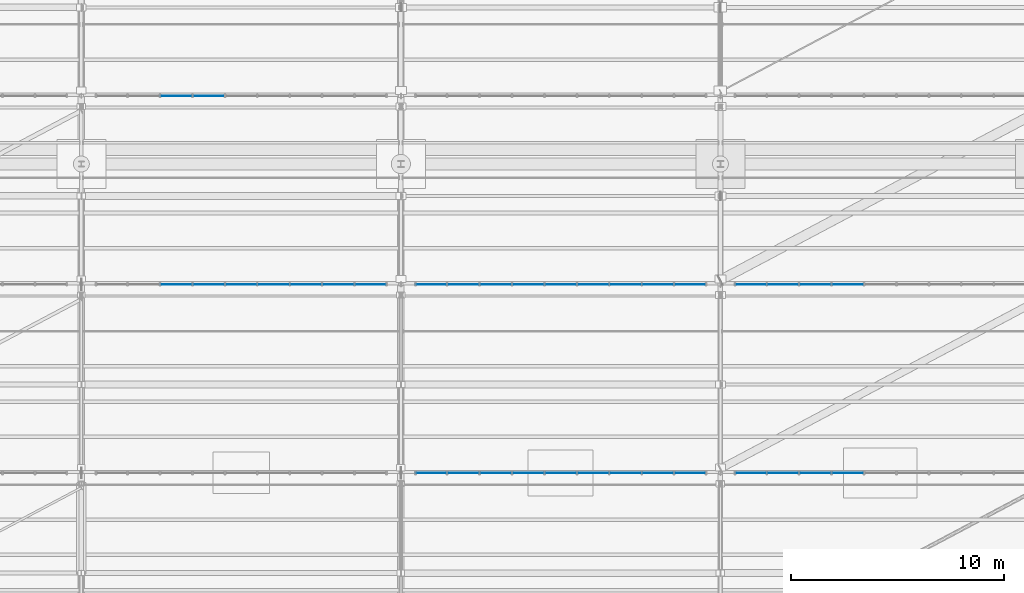
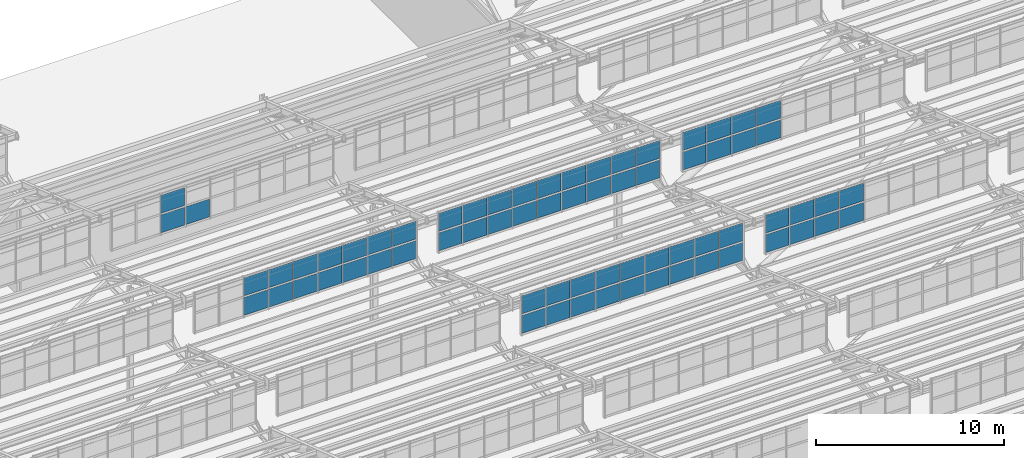
# One storey, part 177 of 285: 69 plates, 6 elements without a shape of their own.
"""IFC4 building model written with IfcOpenShell, lengths in metres."""

from ifc_helpers import new_model, si_unit, direction, frame, origin, origin_2d, place, context, subcontext, project, spatial, rectangle, extrude, material, layer, layer_set, type_object, element, aggregate, save


model = new_model("IFC4")

# Units and contexts
model_context = context("Model", 3, precision=1e-05, world=origin(), true_north=direction((0.0, 1.0)))
body_context = subcontext(model_context, "Body", "Model", "MODEL_VIEW")
ifc_project = project(units=[si_unit("LENGTHUNIT", "METRE"), si_unit("AREAUNIT", "SQUARE_METRE"), si_unit("VOLUMEUNIT", "CUBIC_METRE"), si_unit("PLANEANGLEUNIT", "RADIAN"), si_unit("MASSUNIT", "GRAM", prefix="KILO")], contexts=[model_context])

# Site, building, storey
site_placement = place(None, origin())
site = spatial("IfcSite", under=ifc_project, at=site_placement, CompositionType="ELEMENT")
building_placement = place(site_placement, origin())
building = spatial("IfcBuilding", under=site, at=building_placement, Name="Solanera Park Tramway Depot", CompositionType="ELEMENT")
storey_placement = place(building_placement, origin())
storey = spatial("IfcBuildingStorey", under=building, at=storey_placement, Name="L00", CompositionType="ELEMENT", Elevation=0.0)

# Curtain wall, plates
ifc_material_1 = material(Name="Bronze-anodised thermally broken aluminium curtain wall", Category="aluminium")
curtain_wall_type = type_object("IfcCurtainWallType", Name="Sawtooth Clerestory Monitor Curtain Wall", PredefinedType="NOTDEFINED", material=ifc_material_1)
curtain_wall_1_placement = place(storey_placement, origin())
curtain_wall_1 = element("IfcCurtainWall", 1, at=curtain_wall_1_placement, inside=storey, type_object=curtain_wall_type, Name="L00 Sawtooth Clerestory Monitor Curtain Wall #040", PredefinedType="NOTDEFINED")
ifc_material_2 = material(Name="Low-E laminated solar-control double glazing", Category="glass")
ifc_layer = layer(ifc_material_2, 0.028076171875)
ifc_layer_set = layer_set([ifc_layer], Name="Low-E laminated solar-control double glazing")
plate_type = type_object("IfcPlateType", Name="Curtain Wall Double Glazing Panel 28", PredefinedType="CURTAIN_PANEL", material=ifc_layer_set)
plate_1_placement = place(storey_placement, frame((76.427490234375, 100.0, 7.862060546875), z_axis=(0.0, 0.0, 1.0), x_axis=(1.0, 0.0, 0.0)))
plate_1 = element("IfcPlate", 2, at=plate_1_placement, type_object=plate_type, Name="CW-L00-040 Glazing Panel R1.C1", PredefinedType="CURTAIN_PANEL", context=body_context, shape_type="SweptSolid", body=[
    extrude(rectangle(XDim=1.437744140625, YDim=0.028076171875, at=origin_2d()), origin(), (0.0, 0.0, 1.0), 1.16650390625),
])
plate_2_placement = place(storey_placement, frame((77.933349609375, 100.0, 7.862060546875), z_axis=(0.0, 0.0, 1.0), x_axis=(1.0, 0.0, 0.0)))
plate_2 = element("IfcPlate", 3, at=plate_2_placement, type_object=plate_type, Name="CW-L00-040 Glazing Panel R1.C2", PredefinedType="CURTAIN_PANEL", context=body_context, shape_type="SweptSolid", body=[
    extrude(rectangle(XDim=1.47021484375, YDim=0.028076171875, at=origin_2d()), origin(), (0.0, 0.0, 1.0), 1.16650390625),
])
plate_3_placement = place(storey_placement, frame((79.45556640625, 100.0, 7.862060546875), z_axis=(0.0, 0.0, 1.0), x_axis=(1.0, 0.0, 0.0)))
plate_3 = element("IfcPlate", 4, at=plate_3_placement, type_object=plate_type, Name="CW-L00-040 Glazing Panel R1.C3", PredefinedType="CURTAIN_PANEL", context=body_context, shape_type="SweptSolid", body=[
    extrude(rectangle(XDim=1.47021484375, YDim=0.028076171875, at=origin_2d()), origin(), (0.0, 0.0, 1.0), 1.16650390625),
])
plate_4_placement = place(storey_placement, frame((80.977783203125, 100.0, 7.862060546875), z_axis=(0.0, 0.0, 1.0), x_axis=(1.0, 0.0, 0.0)))
plate_4 = element("IfcPlate", 5, at=plate_4_placement, type_object=plate_type, Name="CW-L00-040 Glazing Panel R1.C4", PredefinedType="CURTAIN_PANEL", context=body_context, shape_type="SweptSolid", body=[
    extrude(rectangle(XDim=1.47021484375, YDim=0.028076171875, at=origin_2d()), origin(), (0.0, 0.0, 1.0), 1.16650390625),
])
plate_5_placement = place(storey_placement, frame((82.5, 100.0, 7.862060546875), z_axis=(0.0, 0.0, 1.0), x_axis=(1.0, 0.0, 0.0)))
plate_5 = element("IfcPlate", 6, at=plate_5_placement, type_object=plate_type, Name="CW-L00-040 Glazing Panel R1.C5", PredefinedType="CURTAIN_PANEL", context=body_context, shape_type="SweptSolid", body=[
    extrude(rectangle(XDim=1.47021484375, YDim=0.028076171875, at=origin_2d()), origin(), (0.0, 0.0, 1.0), 1.16650390625),
])
plate_6_placement = place(storey_placement, frame((84.022216796875, 100.0, 7.862060546875), z_axis=(0.0, 0.0, 1.0), x_axis=(1.0, 0.0, 0.0)))
plate_6 = element("IfcPlate", 7, at=plate_6_placement, type_object=plate_type, Name="CW-L00-040 Glazing Panel R1.C6", PredefinedType="CURTAIN_PANEL", context=body_context, shape_type="SweptSolid", body=[
    extrude(rectangle(XDim=1.47021484375, YDim=0.028076171875, at=origin_2d()), origin(), (0.0, 0.0, 1.0), 1.16650390625),
])
plate_7_placement = place(storey_placement, frame((85.54443359375, 100.0, 7.862060546875), z_axis=(0.0, 0.0, 1.0), x_axis=(1.0, 0.0, 0.0)))
plate_7 = element("IfcPlate", 8, at=plate_7_placement, type_object=plate_type, Name="CW-L00-040 Glazing Panel R1.C7", PredefinedType="CURTAIN_PANEL", context=body_context, shape_type="SweptSolid", body=[
    extrude(rectangle(XDim=1.47021484375, YDim=0.028076171875, at=origin_2d()), origin(), (0.0, 0.0, 1.0), 1.16650390625),
])
plate_8_placement = place(storey_placement, frame((87.066650390625, 100.0, 7.862060546875), z_axis=(0.0, 0.0, 1.0), x_axis=(1.0, 0.0, 0.0)))
plate_8 = element("IfcPlate", 9, at=plate_8_placement, type_object=plate_type, Name="CW-L00-040 Glazing Panel R1.C8", PredefinedType="CURTAIN_PANEL", context=body_context, shape_type="SweptSolid", body=[
    extrude(rectangle(XDim=1.47021484375, YDim=0.028076171875, at=origin_2d()), origin(), (0.0, 0.0, 1.0), 1.16650390625),
])
plate_9_placement = place(storey_placement, frame((88.572509765625, 100.0, 7.862060546875), z_axis=(0.0, 0.0, 1.0), x_axis=(1.0, 0.0, 0.0)))
plate_9 = element("IfcPlate", 10, at=plate_9_placement, type_object=plate_type, Name="CW-L00-040 Glazing Panel R1.C9", PredefinedType="CURTAIN_PANEL", context=body_context, shape_type="SweptSolid", body=[
    extrude(rectangle(XDim=1.437744140625, YDim=0.028076171875, at=origin_2d()), origin(), (0.0, 0.0, 1.0), 1.16650390625),
])
plate_10_placement = place(storey_placement, frame((76.427490234375, 100.0, 9.132568359375), z_axis=(0.0, 0.0, 1.0), x_axis=(1.0, 0.0, 0.0)))
plate_10 = element("IfcPlate", 11, at=plate_10_placement, type_object=plate_type, Name="CW-L00-040 Glazing Panel R2.C1", PredefinedType="CURTAIN_PANEL", context=body_context, shape_type="SweptSolid", body=[
    extrude(rectangle(XDim=1.437744140625, YDim=0.028076171875, at=origin_2d()), origin(), (0.0, 0.0, 1.0), 1.16650390625),
])
plate_11_placement = place(storey_placement, frame((77.933349609375, 100.0, 9.132568359375), z_axis=(0.0, 0.0, 1.0), x_axis=(1.0, 0.0, 0.0)))
plate_11 = element("IfcPlate", 12, at=plate_11_placement, type_object=plate_type, Name="CW-L00-040 Glazing Panel R2.C2", PredefinedType="CURTAIN_PANEL", context=body_context, shape_type="SweptSolid", body=[
    extrude(rectangle(XDim=1.47021484375, YDim=0.028076171875, at=origin_2d()), origin(), (0.0, 0.0, 1.0), 1.16650390625),
])
plate_12_placement = place(storey_placement, frame((79.45556640625, 100.0, 9.132568359375), z_axis=(0.0, 0.0, 1.0), x_axis=(1.0, 0.0, 0.0)))
plate_12 = element("IfcPlate", 13, at=plate_12_placement, type_object=plate_type, Name="CW-L00-040 Glazing Panel R2.C3", PredefinedType="CURTAIN_PANEL", context=body_context, shape_type="SweptSolid", body=[
    extrude(rectangle(XDim=1.47021484375, YDim=0.028076171875, at=origin_2d()), origin(), (0.0, 0.0, 1.0), 1.16650390625),
])
plate_13_placement = place(storey_placement, frame((80.977783203125, 100.0, 9.132568359375), z_axis=(0.0, 0.0, 1.0), x_axis=(1.0, 0.0, 0.0)))
plate_13 = element("IfcPlate", 14, at=plate_13_placement, type_object=plate_type, Name="CW-L00-040 Glazing Panel R2.C4", PredefinedType="CURTAIN_PANEL", context=body_context, shape_type="SweptSolid", body=[
    extrude(rectangle(XDim=1.47021484375, YDim=0.028076171875, at=origin_2d()), origin(), (0.0, 0.0, 1.0), 1.16650390625),
])
plate_14_placement = place(storey_placement, frame((82.5, 100.0, 9.132568359375), z_axis=(0.0, 0.0, 1.0), x_axis=(1.0, 0.0, 0.0)))
plate_14 = element("IfcPlate", 15, at=plate_14_placement, type_object=plate_type, Name="CW-L00-040 Glazing Panel R2.C5", PredefinedType="CURTAIN_PANEL", context=body_context, shape_type="SweptSolid", body=[
    extrude(rectangle(XDim=1.47021484375, YDim=0.028076171875, at=origin_2d()), origin(), (0.0, 0.0, 1.0), 1.16650390625),
])
plate_15_placement = place(storey_placement, frame((84.022216796875, 100.0, 9.132568359375), z_axis=(0.0, 0.0, 1.0), x_axis=(1.0, 0.0, 0.0)))
plate_15 = element("IfcPlate", 16, at=plate_15_placement, type_object=plate_type, Name="CW-L00-040 Glazing Panel R2.C6", PredefinedType="CURTAIN_PANEL", context=body_context, shape_type="SweptSolid", body=[
    extrude(rectangle(XDim=1.47021484375, YDim=0.028076171875, at=origin_2d()), origin(), (0.0, 0.0, 1.0), 1.16650390625),
])
plate_16_placement = place(storey_placement, frame((85.54443359375, 100.0, 9.132568359375), z_axis=(0.0, 0.0, 1.0), x_axis=(1.0, 0.0, 0.0)))
plate_16 = element("IfcPlate", 17, at=plate_16_placement, type_object=plate_type, Name="CW-L00-040 Glazing Panel R2.C7", PredefinedType="CURTAIN_PANEL", context=body_context, shape_type="SweptSolid", body=[
    extrude(rectangle(XDim=1.47021484375, YDim=0.028076171875, at=origin_2d()), origin(), (0.0, 0.0, 1.0), 1.16650390625),
])
plate_17_placement = place(storey_placement, frame((87.066650390625, 100.0, 9.132568359375), z_axis=(0.0, 0.0, 1.0), x_axis=(1.0, 0.0, 0.0)))
plate_17 = element("IfcPlate", 18, at=plate_17_placement, type_object=plate_type, Name="CW-L00-040 Glazing Panel R2.C8", PredefinedType="CURTAIN_PANEL", context=body_context, shape_type="SweptSolid", body=[
    extrude(rectangle(XDim=1.47021484375, YDim=0.028076171875, at=origin_2d()), origin(), (0.0, 0.0, 1.0), 1.16650390625),
])
plate_18_placement = place(storey_placement, frame((88.572509765625, 100.0, 9.132568359375), z_axis=(0.0, 0.0, 1.0), x_axis=(1.0, 0.0, 0.0)))
plate_18 = element("IfcPlate", 19, at=plate_18_placement, type_object=plate_type, Name="CW-L00-040 Glazing Panel R2.C9", PredefinedType="CURTAIN_PANEL", context=body_context, shape_type="SweptSolid", body=[
    extrude(rectangle(XDim=1.437744140625, YDim=0.028076171875, at=origin_2d()), origin(), (0.0, 0.0, 1.0), 1.16650390625),
])
aggregate(curtain_wall_1, [plate_1, plate_2, plate_3, plate_4, plate_5, plate_6, plate_7, plate_8, plate_9, plate_10, plate_11, plate_12, plate_13, plate_14, plate_15, plate_16, plate_17, plate_18])

curtain_wall_2_placement = place(storey_placement, origin())
curtain_wall_2 = element("IfcCurtainWall", 20, at=curtain_wall_2_placement, inside=storey, type_object=curtain_wall_type, Name="L00 Sawtooth Clerestory Monitor Curtain Wall #041", PredefinedType="NOTDEFINED")
plate_19_placement = place(storey_placement, frame((91.427490234375, 100.0, 7.862060546875), z_axis=(0.0, 0.0, 1.0), x_axis=(1.0, 0.0, 0.0)))
plate_19 = element("IfcPlate", 21, at=plate_19_placement, type_object=plate_type, Name="CW-L00-041 Glazing Panel R1.C1", PredefinedType="CURTAIN_PANEL", context=body_context, shape_type="SweptSolid", body=[
    extrude(rectangle(XDim=1.437744140625, YDim=0.028076171875, at=origin_2d()), origin(), (0.0, 0.0, 1.0), 1.16650390625),
])
plate_20_placement = place(storey_placement, frame((92.933349609375, 100.0, 7.862060546875), z_axis=(0.0, 0.0, 1.0), x_axis=(1.0, 0.0, 0.0)))
plate_20 = element("IfcPlate", 22, at=plate_20_placement, type_object=plate_type, Name="CW-L00-041 Glazing Panel R1.C2", PredefinedType="CURTAIN_PANEL", context=body_context, shape_type="SweptSolid", body=[
    extrude(rectangle(XDim=1.47021484375, YDim=0.028076171875, at=origin_2d()), origin(), (0.0, 0.0, 1.0), 1.16650390625),
])
plate_21_placement = place(storey_placement, frame((94.45556640625, 100.0, 7.862060546875), z_axis=(0.0, 0.0, 1.0), x_axis=(1.0, 0.0, 0.0)))
plate_21 = element("IfcPlate", 23, at=plate_21_placement, type_object=plate_type, Name="CW-L00-041 Glazing Panel R1.C3", PredefinedType="CURTAIN_PANEL", context=body_context, shape_type="SweptSolid", body=[
    extrude(rectangle(XDim=1.47021484375, YDim=0.028076171875, at=origin_2d()), origin(), (0.0, 0.0, 1.0), 1.16650390625),
])
plate_22_placement = place(storey_placement, frame((95.977783203125, 100.0, 7.862060546875), z_axis=(0.0, 0.0, 1.0), x_axis=(1.0, 0.0, 0.0)))
plate_22 = element("IfcPlate", 24, at=plate_22_placement, type_object=plate_type, Name="CW-L00-041 Glazing Panel R1.C4", PredefinedType="CURTAIN_PANEL", context=body_context, shape_type="SweptSolid", body=[
    extrude(rectangle(XDim=1.47021484375, YDim=0.028076171875, at=origin_2d()), origin(), (0.0, 0.0, 1.0), 1.16650390625),
])
plate_23_placement = place(storey_placement, frame((91.427490234375, 100.0, 9.132568359375), z_axis=(0.0, 0.0, 1.0), x_axis=(1.0, 0.0, 0.0)))
plate_23 = element("IfcPlate", 25, at=plate_23_placement, type_object=plate_type, Name="CW-L00-041 Glazing Panel R2.C1", PredefinedType="CURTAIN_PANEL", context=body_context, shape_type="SweptSolid", body=[
    extrude(rectangle(XDim=1.437744140625, YDim=0.028076171875, at=origin_2d()), origin(), (0.0, 0.0, 1.0), 1.16650390625),
])
plate_24_placement = place(storey_placement, frame((92.933349609375, 100.0, 9.132568359375), z_axis=(0.0, 0.0, 1.0), x_axis=(1.0, 0.0, 0.0)))
plate_24 = element("IfcPlate", 26, at=plate_24_placement, type_object=plate_type, Name="CW-L00-041 Glazing Panel R2.C2", PredefinedType="CURTAIN_PANEL", context=body_context, shape_type="SweptSolid", body=[
    extrude(rectangle(XDim=1.47021484375, YDim=0.028076171875, at=origin_2d()), origin(), (0.0, 0.0, 1.0), 1.16650390625),
])
plate_25_placement = place(storey_placement, frame((94.45556640625, 100.0, 9.132568359375), z_axis=(0.0, 0.0, 1.0), x_axis=(1.0, 0.0, 0.0)))
plate_25 = element("IfcPlate", 27, at=plate_25_placement, type_object=plate_type, Name="CW-L00-041 Glazing Panel R2.C3", PredefinedType="CURTAIN_PANEL", context=body_context, shape_type="SweptSolid", body=[
    extrude(rectangle(XDim=1.47021484375, YDim=0.028076171875, at=origin_2d()), origin(), (0.0, 0.0, 1.0), 1.16650390625),
])
plate_26_placement = place(storey_placement, frame((95.977783203125, 100.0, 9.132568359375), z_axis=(0.0, 0.0, 1.0), x_axis=(1.0, 0.0, 0.0)))
plate_26 = element("IfcPlate", 28, at=plate_26_placement, type_object=plate_type, Name="CW-L00-041 Glazing Panel R2.C4", PredefinedType="CURTAIN_PANEL", context=body_context, shape_type="SweptSolid", body=[
    extrude(rectangle(XDim=1.47021484375, YDim=0.028076171875, at=origin_2d()), origin(), (0.0, 0.0, 1.0), 1.16650390625),
])
aggregate(curtain_wall_2, [plate_19, plate_20, plate_21, plate_22, plate_23, plate_24, plate_25, plate_26])

curtain_wall_3_placement = place(storey_placement, origin())
curtain_wall_3 = element("IfcCurtainWall", 29, at=curtain_wall_3_placement, inside=storey, type_object=curtain_wall_type, Name="L00 Sawtooth Clerestory Monitor Curtain Wall #047", PredefinedType="NOTDEFINED")
plate_27_placement = place(storey_placement, frame((64.45556640625, 108.85009765625, 7.862060546875), z_axis=(0.0, 0.0, 1.0), x_axis=(1.0, 0.0, 0.0)))
plate_27 = element("IfcPlate", 30, at=plate_27_placement, type_object=plate_type, Name="CW-L00-047 Glazing Panel R1.C3", PredefinedType="CURTAIN_PANEL", context=body_context, shape_type="SweptSolid", body=[
    extrude(rectangle(XDim=1.47021484375, YDim=0.028076171875, at=origin_2d()), origin(), (0.0, 0.0, 1.0), 1.16650390625),
])
plate_28_placement = place(storey_placement, frame((65.977783203125, 108.85009765625, 7.862060546875), z_axis=(0.0, 0.0, 1.0), x_axis=(1.0, 0.0, 0.0)))
plate_28 = element("IfcPlate", 31, at=plate_28_placement, type_object=plate_type, Name="CW-L00-047 Glazing Panel R1.C4", PredefinedType="CURTAIN_PANEL", context=body_context, shape_type="SweptSolid", body=[
    extrude(rectangle(XDim=1.47021484375, YDim=0.028076171875, at=origin_2d()), origin(), (0.0, 0.0, 1.0), 1.16650390625),
])
plate_29_placement = place(storey_placement, frame((67.5, 108.85009765625, 7.862060546875), z_axis=(0.0, 0.0, 1.0), x_axis=(1.0, 0.0, 0.0)))
plate_29 = element("IfcPlate", 32, at=plate_29_placement, type_object=plate_type, Name="CW-L00-047 Glazing Panel R1.C5", PredefinedType="CURTAIN_PANEL", context=body_context, shape_type="SweptSolid", body=[
    extrude(rectangle(XDim=1.47021484375, YDim=0.028076171875, at=origin_2d()), origin(), (0.0, 0.0, 1.0), 1.16650390625),
])
plate_30_placement = place(storey_placement, frame((69.022216796875, 108.85009765625, 7.862060546875), z_axis=(0.0, 0.0, 1.0), x_axis=(1.0, 0.0, 0.0)))
plate_30 = element("IfcPlate", 33, at=plate_30_placement, type_object=plate_type, Name="CW-L00-047 Glazing Panel R1.C6", PredefinedType="CURTAIN_PANEL", context=body_context, shape_type="SweptSolid", body=[
    extrude(rectangle(XDim=1.47021484375, YDim=0.028076171875, at=origin_2d()), origin(), (0.0, 0.0, 1.0), 1.16650390625),
])
plate_31_placement = place(storey_placement, frame((70.54443359375, 108.85009765625, 7.862060546875), z_axis=(0.0, 0.0, 1.0), x_axis=(1.0, 0.0, 0.0)))
plate_31 = element("IfcPlate", 34, at=plate_31_placement, type_object=plate_type, Name="CW-L00-047 Glazing Panel R1.C7", PredefinedType="CURTAIN_PANEL", context=body_context, shape_type="SweptSolid", body=[
    extrude(rectangle(XDim=1.47021484375, YDim=0.028076171875, at=origin_2d()), origin(), (0.0, 0.0, 1.0), 1.16650390625),
])
plate_32_placement = place(storey_placement, frame((72.066650390625, 108.85009765625, 7.862060546875), z_axis=(0.0, 0.0, 1.0), x_axis=(1.0, 0.0, 0.0)))
plate_32 = element("IfcPlate", 35, at=plate_32_placement, type_object=plate_type, Name="CW-L00-047 Glazing Panel R1.C8", PredefinedType="CURTAIN_PANEL", context=body_context, shape_type="SweptSolid", body=[
    extrude(rectangle(XDim=1.47021484375, YDim=0.028076171875, at=origin_2d()), origin(), (0.0, 0.0, 1.0), 1.16650390625),
])
plate_33_placement = place(storey_placement, frame((73.572509765625, 108.85009765625, 7.862060546875), z_axis=(0.0, 0.0, 1.0), x_axis=(1.0, 0.0, 0.0)))
plate_33 = element("IfcPlate", 36, at=plate_33_placement, type_object=plate_type, Name="CW-L00-047 Glazing Panel R1.C9", PredefinedType="CURTAIN_PANEL", context=body_context, shape_type="SweptSolid", body=[
    extrude(rectangle(XDim=1.437744140625, YDim=0.028076171875, at=origin_2d()), origin(), (0.0, 0.0, 1.0), 1.16650390625),
])
plate_34_placement = place(storey_placement, frame((64.45556640625, 108.85009765625, 9.132568359375), z_axis=(0.0, 0.0, 1.0), x_axis=(1.0, 0.0, 0.0)))
plate_34 = element("IfcPlate", 37, at=plate_34_placement, type_object=plate_type, Name="CW-L00-047 Glazing Panel R2.C3", PredefinedType="CURTAIN_PANEL", context=body_context, shape_type="SweptSolid", body=[
    extrude(rectangle(XDim=1.47021484375, YDim=0.028076171875, at=origin_2d()), origin(), (0.0, 0.0, 1.0), 1.16650390625),
])
plate_35_placement = place(storey_placement, frame((65.977783203125, 108.85009765625, 9.132568359375), z_axis=(0.0, 0.0, 1.0), x_axis=(1.0, 0.0, 0.0)))
plate_35 = element("IfcPlate", 38, at=plate_35_placement, type_object=plate_type, Name="CW-L00-047 Glazing Panel R2.C4", PredefinedType="CURTAIN_PANEL", context=body_context, shape_type="SweptSolid", body=[
    extrude(rectangle(XDim=1.47021484375, YDim=0.028076171875, at=origin_2d()), origin(), (0.0, 0.0, 1.0), 1.16650390625),
])
plate_36_placement = place(storey_placement, frame((67.5, 108.85009765625, 9.132568359375), z_axis=(0.0, 0.0, 1.0), x_axis=(1.0, 0.0, 0.0)))
plate_36 = element("IfcPlate", 39, at=plate_36_placement, type_object=plate_type, Name="CW-L00-047 Glazing Panel R2.C5", PredefinedType="CURTAIN_PANEL", context=body_context, shape_type="SweptSolid", body=[
    extrude(rectangle(XDim=1.47021484375, YDim=0.028076171875, at=origin_2d()), origin(), (0.0, 0.0, 1.0), 1.16650390625),
])
plate_37_placement = place(storey_placement, frame((69.022216796875, 108.85009765625, 9.132568359375), z_axis=(0.0, 0.0, 1.0), x_axis=(1.0, 0.0, 0.0)))
plate_37 = element("IfcPlate", 40, at=plate_37_placement, type_object=plate_type, Name="CW-L00-047 Glazing Panel R2.C6", PredefinedType="CURTAIN_PANEL", context=body_context, shape_type="SweptSolid", body=[
    extrude(rectangle(XDim=1.47021484375, YDim=0.028076171875, at=origin_2d()), origin(), (0.0, 0.0, 1.0), 1.16650390625),
])
plate_38_placement = place(storey_placement, frame((70.54443359375, 108.85009765625, 9.132568359375), z_axis=(0.0, 0.0, 1.0), x_axis=(1.0, 0.0, 0.0)))
plate_38 = element("IfcPlate", 41, at=plate_38_placement, type_object=plate_type, Name="CW-L00-047 Glazing Panel R2.C7", PredefinedType="CURTAIN_PANEL", context=body_context, shape_type="SweptSolid", body=[
    extrude(rectangle(XDim=1.47021484375, YDim=0.028076171875, at=origin_2d()), origin(), (0.0, 0.0, 1.0), 1.16650390625),
])
plate_39_placement = place(storey_placement, frame((72.066650390625, 108.85009765625, 9.132568359375), z_axis=(0.0, 0.0, 1.0), x_axis=(1.0, 0.0, 0.0)))
plate_39 = element("IfcPlate", 42, at=plate_39_placement, type_object=plate_type, Name="CW-L00-047 Glazing Panel R2.C8", PredefinedType="CURTAIN_PANEL", context=body_context, shape_type="SweptSolid", body=[
    extrude(rectangle(XDim=1.47021484375, YDim=0.028076171875, at=origin_2d()), origin(), (0.0, 0.0, 1.0), 1.16650390625),
])
plate_40_placement = place(storey_placement, frame((73.572509765625, 108.85009765625, 9.132568359375), z_axis=(0.0, 0.0, 1.0), x_axis=(1.0, 0.0, 0.0)))
plate_40 = element("IfcPlate", 43, at=plate_40_placement, type_object=plate_type, Name="CW-L00-047 Glazing Panel R2.C9", PredefinedType="CURTAIN_PANEL", context=body_context, shape_type="SweptSolid", body=[
    extrude(rectangle(XDim=1.437744140625, YDim=0.028076171875, at=origin_2d()), origin(), (0.0, 0.0, 1.0), 1.16650390625),
])
aggregate(curtain_wall_3, [plate_27, plate_28, plate_29, plate_30, plate_31, plate_32, plate_33, plate_34, plate_35, plate_36, plate_37, plate_38, plate_39, plate_40])

curtain_wall_4_placement = place(storey_placement, origin())
curtain_wall_4 = element("IfcCurtainWall", 44, at=curtain_wall_4_placement, inside=storey, type_object=curtain_wall_type, Name="L00 Sawtooth Clerestory Monitor Curtain Wall #048", PredefinedType="NOTDEFINED")
plate_41_placement = place(storey_placement, frame((76.427490234375, 108.85009765625, 7.862060546875), z_axis=(0.0, 0.0, 1.0), x_axis=(1.0, 0.0, 0.0)))
plate_41 = element("IfcPlate", 45, at=plate_41_placement, type_object=plate_type, Name="CW-L00-048 Glazing Panel R1.C1", PredefinedType="CURTAIN_PANEL", context=body_context, shape_type="SweptSolid", body=[
    extrude(rectangle(XDim=1.437744140625, YDim=0.028076171875, at=origin_2d()), origin(), (0.0, 0.0, 1.0), 1.16650390625),
])
plate_42_placement = place(storey_placement, frame((77.933349609375, 108.85009765625, 7.862060546875), z_axis=(0.0, 0.0, 1.0), x_axis=(1.0, 0.0, 0.0)))
plate_42 = element("IfcPlate", 46, at=plate_42_placement, type_object=plate_type, Name="CW-L00-048 Glazing Panel R1.C2", PredefinedType="CURTAIN_PANEL", context=body_context, shape_type="SweptSolid", body=[
    extrude(rectangle(XDim=1.47021484375, YDim=0.028076171875, at=origin_2d()), origin(), (0.0, 0.0, 1.0), 1.16650390625),
])
plate_43_placement = place(storey_placement, frame((79.45556640625, 108.85009765625, 7.862060546875), z_axis=(0.0, 0.0, 1.0), x_axis=(1.0, 0.0, 0.0)))
plate_43 = element("IfcPlate", 47, at=plate_43_placement, type_object=plate_type, Name="CW-L00-048 Glazing Panel R1.C3", PredefinedType="CURTAIN_PANEL", context=body_context, shape_type="SweptSolid", body=[
    extrude(rectangle(XDim=1.47021484375, YDim=0.028076171875, at=origin_2d()), origin(), (0.0, 0.0, 1.0), 1.16650390625),
])
plate_44_placement = place(storey_placement, frame((80.977783203125, 108.85009765625, 7.862060546875), z_axis=(0.0, 0.0, 1.0), x_axis=(1.0, 0.0, 0.0)))
plate_44 = element("IfcPlate", 48, at=plate_44_placement, type_object=plate_type, Name="CW-L00-048 Glazing Panel R1.C4", PredefinedType="CURTAIN_PANEL", context=body_context, shape_type="SweptSolid", body=[
    extrude(rectangle(XDim=1.47021484375, YDim=0.028076171875, at=origin_2d()), origin(), (0.0, 0.0, 1.0), 1.16650390625),
])
plate_45_placement = place(storey_placement, frame((82.5, 108.85009765625, 7.862060546875), z_axis=(0.0, 0.0, 1.0), x_axis=(1.0, 0.0, 0.0)))
plate_45 = element("IfcPlate", 49, at=plate_45_placement, type_object=plate_type, Name="CW-L00-048 Glazing Panel R1.C5", PredefinedType="CURTAIN_PANEL", context=body_context, shape_type="SweptSolid", body=[
    extrude(rectangle(XDim=1.47021484375, YDim=0.028076171875, at=origin_2d()), origin(), (0.0, 0.0, 1.0), 1.16650390625),
])
plate_46_placement = place(storey_placement, frame((84.022216796875, 108.85009765625, 7.862060546875), z_axis=(0.0, 0.0, 1.0), x_axis=(1.0, 0.0, 0.0)))
plate_46 = element("IfcPlate", 50, at=plate_46_placement, type_object=plate_type, Name="CW-L00-048 Glazing Panel R1.C6", PredefinedType="CURTAIN_PANEL", context=body_context, shape_type="SweptSolid", body=[
    extrude(rectangle(XDim=1.47021484375, YDim=0.028076171875, at=origin_2d()), origin(), (0.0, 0.0, 1.0), 1.16650390625),
])
plate_47_placement = place(storey_placement, frame((85.54443359375, 108.85009765625, 7.862060546875), z_axis=(0.0, 0.0, 1.0), x_axis=(1.0, 0.0, 0.0)))
plate_47 = element("IfcPlate", 51, at=plate_47_placement, type_object=plate_type, Name="CW-L00-048 Glazing Panel R1.C7", PredefinedType="CURTAIN_PANEL", context=body_context, shape_type="SweptSolid", body=[
    extrude(rectangle(XDim=1.47021484375, YDim=0.028076171875, at=origin_2d()), origin(), (0.0, 0.0, 1.0), 1.16650390625),
])
plate_48_placement = place(storey_placement, frame((87.066650390625, 108.85009765625, 7.862060546875), z_axis=(0.0, 0.0, 1.0), x_axis=(1.0, 0.0, 0.0)))
plate_48 = element("IfcPlate", 52, at=plate_48_placement, type_object=plate_type, Name="CW-L00-048 Glazing Panel R1.C8", PredefinedType="CURTAIN_PANEL", context=body_context, shape_type="SweptSolid", body=[
    extrude(rectangle(XDim=1.47021484375, YDim=0.028076171875, at=origin_2d()), origin(), (0.0, 0.0, 1.0), 1.16650390625),
])
plate_49_placement = place(storey_placement, frame((88.572509765625, 108.85009765625, 7.862060546875), z_axis=(0.0, 0.0, 1.0), x_axis=(1.0, 0.0, 0.0)))
plate_49 = element("IfcPlate", 53, at=plate_49_placement, type_object=plate_type, Name="CW-L00-048 Glazing Panel R1.C9", PredefinedType="CURTAIN_PANEL", context=body_context, shape_type="SweptSolid", body=[
    extrude(rectangle(XDim=1.437744140625, YDim=0.028076171875, at=origin_2d()), origin(), (0.0, 0.0, 1.0), 1.16650390625),
])
plate_50_placement = place(storey_placement, frame((76.427490234375, 108.85009765625, 9.132568359375), z_axis=(0.0, 0.0, 1.0), x_axis=(1.0, 0.0, 0.0)))
plate_50 = element("IfcPlate", 54, at=plate_50_placement, type_object=plate_type, Name="CW-L00-048 Glazing Panel R2.C1", PredefinedType="CURTAIN_PANEL", context=body_context, shape_type="SweptSolid", body=[
    extrude(rectangle(XDim=1.437744140625, YDim=0.028076171875, at=origin_2d()), origin(), (0.0, 0.0, 1.0), 1.16650390625),
])
plate_51_placement = place(storey_placement, frame((77.933349609375, 108.85009765625, 9.132568359375), z_axis=(0.0, 0.0, 1.0), x_axis=(1.0, 0.0, 0.0)))
plate_51 = element("IfcPlate", 55, at=plate_51_placement, type_object=plate_type, Name="CW-L00-048 Glazing Panel R2.C2", PredefinedType="CURTAIN_PANEL", context=body_context, shape_type="SweptSolid", body=[
    extrude(rectangle(XDim=1.47021484375, YDim=0.028076171875, at=origin_2d()), origin(), (0.0, 0.0, 1.0), 1.16650390625),
])
plate_52_placement = place(storey_placement, frame((79.45556640625, 108.85009765625, 9.132568359375), z_axis=(0.0, 0.0, 1.0), x_axis=(1.0, 0.0, 0.0)))
plate_52 = element("IfcPlate", 56, at=plate_52_placement, type_object=plate_type, Name="CW-L00-048 Glazing Panel R2.C3", PredefinedType="CURTAIN_PANEL", context=body_context, shape_type="SweptSolid", body=[
    extrude(rectangle(XDim=1.47021484375, YDim=0.028076171875, at=origin_2d()), origin(), (0.0, 0.0, 1.0), 1.16650390625),
])
plate_53_placement = place(storey_placement, frame((80.977783203125, 108.85009765625, 9.132568359375), z_axis=(0.0, 0.0, 1.0), x_axis=(1.0, 0.0, 0.0)))
plate_53 = element("IfcPlate", 57, at=plate_53_placement, type_object=plate_type, Name="CW-L00-048 Glazing Panel R2.C4", PredefinedType="CURTAIN_PANEL", context=body_context, shape_type="SweptSolid", body=[
    extrude(rectangle(XDim=1.47021484375, YDim=0.028076171875, at=origin_2d()), origin(), (0.0, 0.0, 1.0), 1.16650390625),
])
plate_54_placement = place(storey_placement, frame((82.5, 108.85009765625, 9.132568359375), z_axis=(0.0, 0.0, 1.0), x_axis=(1.0, 0.0, 0.0)))
plate_54 = element("IfcPlate", 58, at=plate_54_placement, type_object=plate_type, Name="CW-L00-048 Glazing Panel R2.C5", PredefinedType="CURTAIN_PANEL", context=body_context, shape_type="SweptSolid", body=[
    extrude(rectangle(XDim=1.47021484375, YDim=0.028076171875, at=origin_2d()), origin(), (0.0, 0.0, 1.0), 1.16650390625),
])
plate_55_placement = place(storey_placement, frame((84.022216796875, 108.85009765625, 9.132568359375), z_axis=(0.0, 0.0, 1.0), x_axis=(1.0, 0.0, 0.0)))
plate_55 = element("IfcPlate", 59, at=plate_55_placement, type_object=plate_type, Name="CW-L00-048 Glazing Panel R2.C6", PredefinedType="CURTAIN_PANEL", context=body_context, shape_type="SweptSolid", body=[
    extrude(rectangle(XDim=1.47021484375, YDim=0.028076171875, at=origin_2d()), origin(), (0.0, 0.0, 1.0), 1.16650390625),
])
plate_56_placement = place(storey_placement, frame((85.54443359375, 108.85009765625, 9.132568359375), z_axis=(0.0, 0.0, 1.0), x_axis=(1.0, 0.0, 0.0)))
plate_56 = element("IfcPlate", 60, at=plate_56_placement, type_object=plate_type, Name="CW-L00-048 Glazing Panel R2.C7", PredefinedType="CURTAIN_PANEL", context=body_context, shape_type="SweptSolid", body=[
    extrude(rectangle(XDim=1.47021484375, YDim=0.028076171875, at=origin_2d()), origin(), (0.0, 0.0, 1.0), 1.16650390625),
])
plate_57_placement = place(storey_placement, frame((87.066650390625, 108.85009765625, 9.132568359375), z_axis=(0.0, 0.0, 1.0), x_axis=(1.0, 0.0, 0.0)))
plate_57 = element("IfcPlate", 61, at=plate_57_placement, type_object=plate_type, Name="CW-L00-048 Glazing Panel R2.C8", PredefinedType="CURTAIN_PANEL", context=body_context, shape_type="SweptSolid", body=[
    extrude(rectangle(XDim=1.47021484375, YDim=0.028076171875, at=origin_2d()), origin(), (0.0, 0.0, 1.0), 1.16650390625),
])
plate_58_placement = place(storey_placement, frame((88.572509765625, 108.85009765625, 9.132568359375), z_axis=(0.0, 0.0, 1.0), x_axis=(1.0, 0.0, 0.0)))
plate_58 = element("IfcPlate", 62, at=plate_58_placement, type_object=plate_type, Name="CW-L00-048 Glazing Panel R2.C9", PredefinedType="CURTAIN_PANEL", context=body_context, shape_type="SweptSolid", body=[
    extrude(rectangle(XDim=1.437744140625, YDim=0.028076171875, at=origin_2d()), origin(), (0.0, 0.0, 1.0), 1.16650390625),
])
aggregate(curtain_wall_4, [plate_41, plate_42, plate_43, plate_44, plate_45, plate_46, plate_47, plate_48, plate_49, plate_50, plate_51, plate_52, plate_53, plate_54, plate_55, plate_56, plate_57, plate_58])

curtain_wall_5_placement = place(storey_placement, origin())
curtain_wall_5 = element("IfcCurtainWall", 63, at=curtain_wall_5_placement, inside=storey, type_object=curtain_wall_type, Name="L00 Sawtooth Clerestory Monitor Curtain Wall #049", PredefinedType="NOTDEFINED")
plate_59_placement = place(storey_placement, frame((91.427490234375, 108.85009765625, 7.862060546875), z_axis=(0.0, 0.0, 1.0), x_axis=(1.0, 0.0, 0.0)))
plate_59 = element("IfcPlate", 64, at=plate_59_placement, type_object=plate_type, Name="CW-L00-049 Glazing Panel R1.C1", PredefinedType="CURTAIN_PANEL", context=body_context, shape_type="SweptSolid", body=[
    extrude(rectangle(XDim=1.437744140625, YDim=0.028076171875, at=origin_2d()), origin(), (0.0, 0.0, 1.0), 1.16650390625),
])
plate_60_placement = place(storey_placement, frame((92.933349609375, 108.85009765625, 7.862060546875), z_axis=(0.0, 0.0, 1.0), x_axis=(1.0, 0.0, 0.0)))
plate_60 = element("IfcPlate", 65, at=plate_60_placement, type_object=plate_type, Name="CW-L00-049 Glazing Panel R1.C2", PredefinedType="CURTAIN_PANEL", context=body_context, shape_type="SweptSolid", body=[
    extrude(rectangle(XDim=1.47021484375, YDim=0.028076171875, at=origin_2d()), origin(), (0.0, 0.0, 1.0), 1.16650390625),
])
plate_61_placement = place(storey_placement, frame((94.45556640625, 108.85009765625, 7.862060546875), z_axis=(0.0, 0.0, 1.0), x_axis=(1.0, 0.0, 0.0)))
plate_61 = element("IfcPlate", 66, at=plate_61_placement, type_object=plate_type, Name="CW-L00-049 Glazing Panel R1.C3", PredefinedType="CURTAIN_PANEL", context=body_context, shape_type="SweptSolid", body=[
    extrude(rectangle(XDim=1.47021484375, YDim=0.028076171875, at=origin_2d()), origin(), (0.0, 0.0, 1.0), 1.16650390625),
])
plate_62_placement = place(storey_placement, frame((95.977783203125, 108.85009765625, 7.862060546875), z_axis=(0.0, 0.0, 1.0), x_axis=(1.0, 0.0, 0.0)))
plate_62 = element("IfcPlate", 67, at=plate_62_placement, type_object=plate_type, Name="CW-L00-049 Glazing Panel R1.C4", PredefinedType="CURTAIN_PANEL", context=body_context, shape_type="SweptSolid", body=[
    extrude(rectangle(XDim=1.47021484375, YDim=0.028076171875, at=origin_2d()), origin(), (0.0, 0.0, 1.0), 1.16650390625),
])
plate_63_placement = place(storey_placement, frame((91.427490234375, 108.85009765625, 9.132568359375), z_axis=(0.0, 0.0, 1.0), x_axis=(1.0, 0.0, 0.0)))
plate_63 = element("IfcPlate", 68, at=plate_63_placement, type_object=plate_type, Name="CW-L00-049 Glazing Panel R2.C1", PredefinedType="CURTAIN_PANEL", context=body_context, shape_type="SweptSolid", body=[
    extrude(rectangle(XDim=1.437744140625, YDim=0.028076171875, at=origin_2d()), origin(), (0.0, 0.0, 1.0), 1.16650390625),
])
plate_64_placement = place(storey_placement, frame((92.933349609375, 108.85009765625, 9.132568359375), z_axis=(0.0, 0.0, 1.0), x_axis=(1.0, 0.0, 0.0)))
plate_64 = element("IfcPlate", 69, at=plate_64_placement, type_object=plate_type, Name="CW-L00-049 Glazing Panel R2.C2", PredefinedType="CURTAIN_PANEL", context=body_context, shape_type="SweptSolid", body=[
    extrude(rectangle(XDim=1.47021484375, YDim=0.028076171875, at=origin_2d()), origin(), (0.0, 0.0, 1.0), 1.16650390625),
])
plate_65_placement = place(storey_placement, frame((94.45556640625, 108.85009765625, 9.132568359375), z_axis=(0.0, 0.0, 1.0), x_axis=(1.0, 0.0, 0.0)))
plate_65 = element("IfcPlate", 70, at=plate_65_placement, type_object=plate_type, Name="CW-L00-049 Glazing Panel R2.C3", PredefinedType="CURTAIN_PANEL", context=body_context, shape_type="SweptSolid", body=[
    extrude(rectangle(XDim=1.47021484375, YDim=0.028076171875, at=origin_2d()), origin(), (0.0, 0.0, 1.0), 1.16650390625),
])
plate_66_placement = place(storey_placement, frame((95.977783203125, 108.85009765625, 9.132568359375), z_axis=(0.0, 0.0, 1.0), x_axis=(1.0, 0.0, 0.0)))
plate_66 = element("IfcPlate", 71, at=plate_66_placement, type_object=plate_type, Name="CW-L00-049 Glazing Panel R2.C4", PredefinedType="CURTAIN_PANEL", context=body_context, shape_type="SweptSolid", body=[
    extrude(rectangle(XDim=1.47021484375, YDim=0.028076171875, at=origin_2d()), origin(), (0.0, 0.0, 1.0), 1.16650390625),
])
aggregate(curtain_wall_5, [plate_59, plate_60, plate_61, plate_62, plate_63, plate_64, plate_65, plate_66])

curtain_wall_6_placement = place(storey_placement, origin())
curtain_wall_6 = element("IfcCurtainWall", 72, at=curtain_wall_6_placement, inside=storey, type_object=curtain_wall_type, Name="L00 Sawtooth Clerestory Monitor Curtain Wall #055", PredefinedType="NOTDEFINED")
plate_67_placement = place(storey_placement, frame((64.45556640625, 117.699951171875, 7.862060546875), z_axis=(0.0, 0.0, 1.0), x_axis=(1.0, 0.0, 0.0)))
plate_67 = element("IfcPlate", 73, at=plate_67_placement, type_object=plate_type, Name="CW-L00-055 Glazing Panel R1.C3", PredefinedType="CURTAIN_PANEL", context=body_context, shape_type="SweptSolid", body=[
    extrude(rectangle(XDim=1.47021484375, YDim=0.028076171875, at=origin_2d()), origin(), (0.0, 0.0, 1.0), 1.16650390625),
])
plate_68_placement = place(storey_placement, frame((65.977783203125, 117.699951171875, 7.862060546875), z_axis=(0.0, 0.0, 1.0), x_axis=(1.0, 0.0, 0.0)))
plate_68 = element("IfcPlate", 74, at=plate_68_placement, type_object=plate_type, Name="CW-L00-055 Glazing Panel R1.C4", PredefinedType="CURTAIN_PANEL", context=body_context, shape_type="SweptSolid", body=[
    extrude(rectangle(XDim=1.47021484375, YDim=0.028076171875, at=origin_2d()), origin(), (0.0, 0.0, 1.0), 1.16650390625),
])
plate_69_placement = place(storey_placement, frame((64.45556640625, 117.699951171875, 9.132568359375), z_axis=(0.0, 0.0, 1.0), x_axis=(1.0, 0.0, 0.0)))
plate_69 = element("IfcPlate", 75, at=plate_69_placement, type_object=plate_type, Name="CW-L00-055 Glazing Panel R2.C3", PredefinedType="CURTAIN_PANEL", context=body_context, shape_type="SweptSolid", body=[
    extrude(rectangle(XDim=1.47021484375, YDim=0.028076171875, at=origin_2d()), origin(), (0.0, 0.0, 1.0), 1.16650390625),
])
aggregate(curtain_wall_6, [plate_67, plate_68, plate_69])

save(model, "model.ifc")
